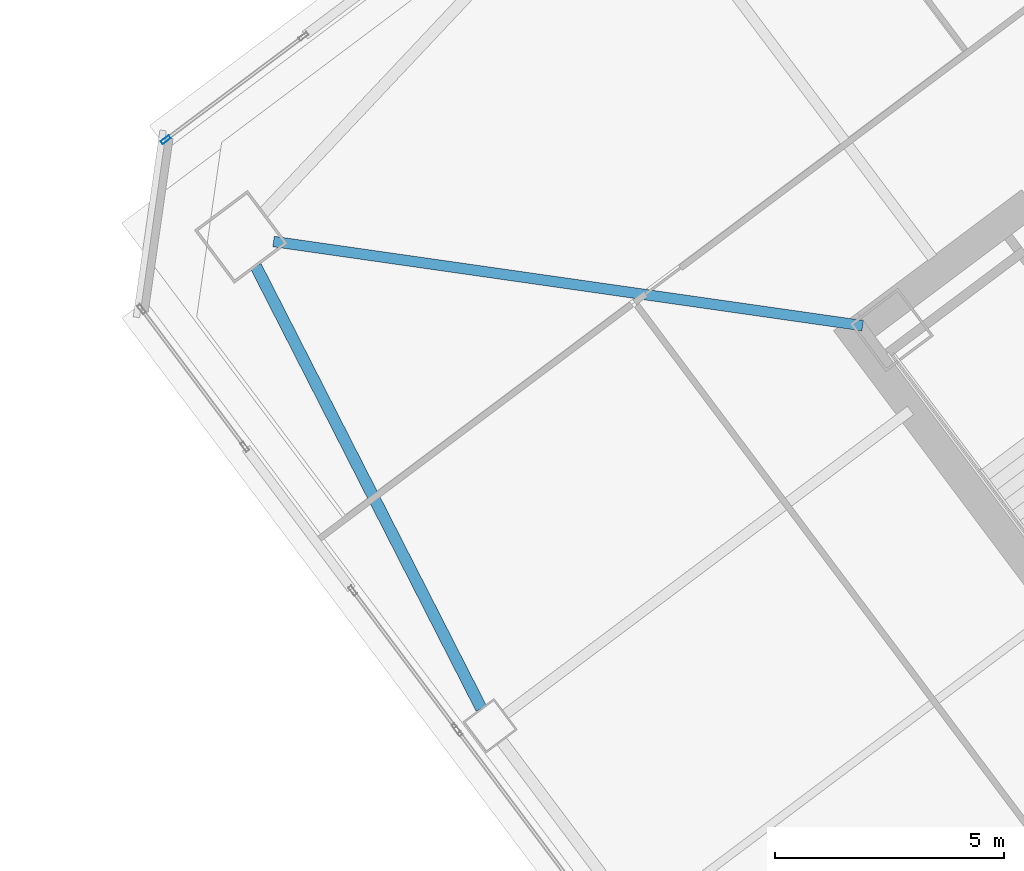
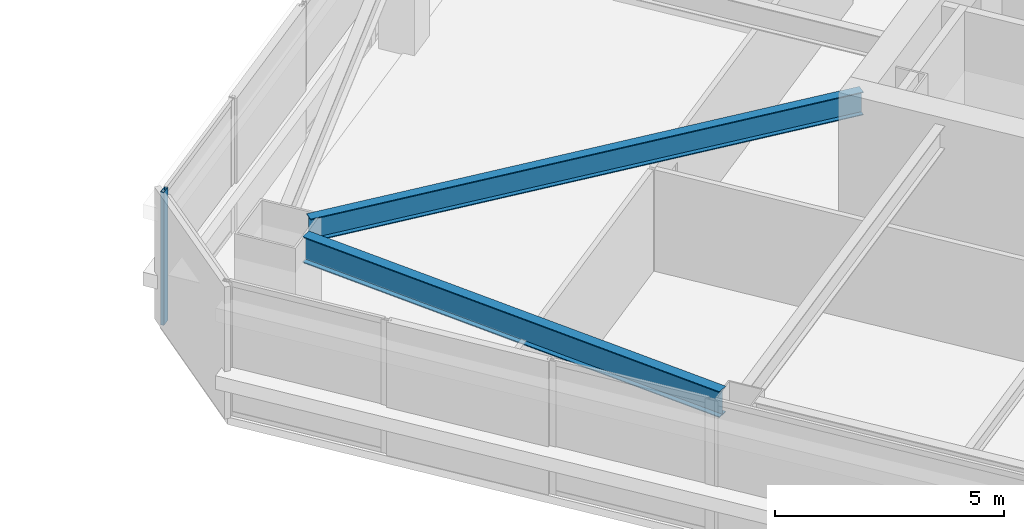
# One storey, part 24 of 48: 2 beams, 1 member, 1 element without a shape of its own.
"""IFC4 building model written with IfcOpenShell, lengths in metres."""

import ifcopenshell
import ifcopenshell.guid

model = None  # the IFC model being written
_history = None  # IfcOwnerHistory: only IFC2X3 demands one
_inside = {}  # id of a spatial element -> (the spatial element, [elements in it])
_under = {}  # id of a project, library or spatial element -> (it, [spatial elements below it])
_declared = {}  # id of a project -> (the project, [libraries it declares])
_typed = {}  # id of a type object -> (the type object, [elements of that type])
_made_of = {}  # id of a material, layer set ... -> (it, [elements and type objects made of it])


def new_model(schema):
    """Start an empty IFC model of exactly this schema.

    Asked for "IFC4X3", IfcOpenShell would pick the latest addendum, in which some entities
    have other attributes; the version numbers below select the first issue.
    IFC2X3 requires an IfcOwnerHistory on every rooted entity: one is made here for all.
    """
    global model, _history
    if schema == "IFC4X3":
        model = ifcopenshell.file(schema_version=(4, 3, 0, 0))
    else:
        model = ifcopenshell.file(schema=schema)
    _inside.clear()
    _under.clear()
    _declared.clear()
    _typed.clear()
    _made_of.clear()
    _history = None
    if model.schema == "IFC2X3":
        org = make("IfcOrganization", Name="unknown")
        user = make(
            "IfcPersonAndOrganization",
            ThePerson=make("IfcPerson", FamilyName="unknown"),
            TheOrganization=org,
        )
        app = make(
            "IfcApplication",
            ApplicationDeveloper=org,
            Version="unknown",
            ApplicationFullName="unknown",
            ApplicationIdentifier="unknown",
        )
        _history = make(
            "IfcOwnerHistory",
            OwningUser=user,
            OwningApplication=app,
            ChangeAction="ADDED",
            CreationDate=0,
        )
    return model


def make(cls, **values):
    """One entity of the class cls with the attributes given. An attribute that is None is left unset."""
    return model.create_entity(
        cls, **{name: value for name, value in values.items() if value is not None}
    )


def rooted(cls, **values):
    """An entity with a GlobalId (a new one), such as an element, a storey or a relation."""
    return make(cls, GlobalId=ifcopenshell.guid.new(), OwnerHistory=_history, **values)


def si_unit(unit_type, name, prefix=None):
    """IfcSIUnit, for example si_unit("LENGTHUNIT", "METRE", prefix="MILLI")."""
    return make("IfcSIUnit", UnitType=unit_type, Prefix=prefix, Name=name)


def assignment(units):
    """IfcUnitAssignment: the units of a project."""
    return None if units is None else make("IfcUnitAssignment", Units=units)


def point(xyz):
    """IfcCartesianPoint."""
    return None if xyz is None else make("IfcCartesianPoint", Coordinates=xyz)


def direction(xyz):
    """IfcDirection."""
    return None if xyz is None else make("IfcDirection", DirectionRatios=xyz)


def frame(location, z_axis=None, x_axis=None):
    """IfcAxis2Placement3D, a coordinate frame: its origin and axes. An axis left out is left unset."""
    return make(
        "IfcAxis2Placement3D",
        Location=point(location),
        Axis=direction(z_axis),
        RefDirection=direction(x_axis),
    )


def frame_2d(location, x_axis=None):
    """IfcAxis2Placement2D, a coordinate frame in the plane: its origin and x axis."""
    return make(
        "IfcAxis2Placement2D", Location=point(location), RefDirection=direction(x_axis)
    )


def origin():
    """The frame at (0, 0, 0) with its axes left unset."""
    return frame((0.0, 0.0, 0.0))


def origin_2d():
    """The frame at (0, 0) in the plane with its x axis left unset."""
    return frame_2d((0.0, 0.0))


def place(relative_to, where):
    """IfcLocalPlacement: puts the frame where relative to a parent placement (None: the world)."""
    return make(
        "IfcLocalPlacement", PlacementRelTo=relative_to, RelativePlacement=where
    )


def context(
    kind, dimensions, precision=None, world=None, true_north=None, identifier=None
):
    """IfcGeometricRepresentationContext, for example the 3D "Model" context."""
    return make(
        "IfcGeometricRepresentationContext",
        ContextIdentifier=identifier,
        ContextType=kind,
        CoordinateSpaceDimension=dimensions,
        Precision=precision,
        WorldCoordinateSystem=world,
        TrueNorth=true_north,
    )


def subcontext(parent, identifier, kind, view, scale=None):
    """IfcGeometricRepresentationSubContext, for example "Body" below "Model"."""
    return make(
        "IfcGeometricRepresentationSubContext",
        ContextIdentifier=identifier,
        ContextType=kind,
        ParentContext=parent,
        TargetScale=scale,
        TargetView=view,
    )


def project(units=None, contexts=None):
    """IfcProject with its units and contexts."""
    return rooted(
        "IfcProject",
        Name="project",
        RepresentationContexts=contexts,
        UnitsInContext=assignment(units),
    )


def spatial(cls, under=None, at=None, **own):
    """A site, building, storey or space (cls), placed at a placement, below another one or the project."""
    s = rooted(cls, ObjectPlacement=at, **own)
    if under is not None:
        _under.setdefault(under.id(), (under, []))[1].append(s)
    return s


def profile(cls, at=None, kind="AREA", **sizes):
    """A parametric profile (cls). Its sizes go by their IFC names, for example OverallWidth=200.0."""
    return make(cls, ProfileType=kind, Position=at, **sizes)


def hollow_rectangle(**sizes):
    """IfcRectangleHollowProfileDef."""
    return profile("IfcRectangleHollowProfileDef", **sizes)


def i_section(**sizes):
    """IfcIShapeProfileDef."""
    return profile("IfcIShapeProfileDef", **sizes)


def extrude(swept, where, along, depth):
    """IfcExtrudedAreaSolid: the profile swept, set in the frame where, extruded along a direction by depth."""
    return make(
        "IfcExtrudedAreaSolid",
        SweptArea=swept,
        Position=where,
        ExtrudedDirection=direction(along),
        Depth=depth,
    )


def shape(context_of_items, identifier, shape_type, items):
    """IfcShapeRepresentation: the items that make up one representation, for example the "Body"."""
    return make(
        "IfcShapeRepresentation",
        ContextOfItems=context_of_items,
        RepresentationIdentifier=identifier,
        RepresentationType=shape_type,
        Items=items,
    )


def material(Name=None, Category=None):
    """IfcMaterial."""
    return make("IfcMaterial", Name=Name, Category=Category)


def material_profile(
    of_material, cross_section, Name=None, Category=None, Priority=None
):
    """IfcMaterialProfile: a cross section and its material."""
    return make(
        "IfcMaterialProfile",
        Name=Name,
        Material=of_material,
        Profile=cross_section,
        Priority=Priority,
        Category=Category,
    )


def profile_set(profiles, Name=None, composite=None):
    """IfcMaterialProfileSet."""
    return make(
        "IfcMaterialProfileSet",
        Name=Name,
        MaterialProfiles=profiles,
        CompositeProfile=composite,
    )


def made_of(thing, what):
    """Note that an element or type object is made of a material, layer set ...; save() writes the relation."""
    if what is not None:
        _made_of.setdefault(what.id(), (what, []))[1].append(thing)
    return thing


def type_object(cls, material=None, **own):
    """A type object (cls), such as IfcWallType, which elements share."""
    return made_of(rooted(cls, **own), material)


def element(
    cls,
    number,
    at=None,
    inside=None,
    cuts=None,
    type_object=None,
    material=None,
    context=None,
    identifier="Body",
    shape_type=None,
    held_by="IfcProductDefinitionShape",
    body=None,
    shapes=None,
    **own,
):
    """One element of the class cls, such as IfcWall. Its Tag is "e" and its number.

    at: its placement. inside: the storey or other place that contains it. cuts: it is an
    opening in that element (IfcRelVoidsElement). A single representation is given by context,
    identifier, shape_type and body (its items); several are given by shapes. held_by: the class
    of the entity that holds the representations. save() writes the other relations.
    """
    e = rooted(cls, Tag="e%d" % number, ObjectPlacement=at, **own)
    if body is not None:
        shapes = [shape(context, identifier, shape_type, body)]
    if shapes is not None:
        e.Representation = make(held_by, Representations=shapes)
    if inside is not None:
        _inside.setdefault(inside.id(), (inside, []))[1].append(e)
    if cuts is not None:
        rooted(
            "IfcRelVoidsElement", RelatingBuildingElement=cuts, RelatedOpeningElement=e
        )
    if type_object is not None:
        _typed.setdefault(type_object.id(), (type_object, []))[1].append(e)
    return made_of(e, material)


def aggregate(whole, parts):
    """IfcRelAggregates: a whole, such as a stair, and the parts it consists of."""
    return rooted("IfcRelAggregates", RelatingObject=whole, RelatedObjects=parts)


def save(model, path):
    """Write the relations noted so far, then the file.

    IfcRelAggregates (storeys below a building ...), IfcRelContainedInSpatialStructure (elements
    in a storey), IfcRelDefinesByType, IfcRelAssociatesMaterial and IfcRelDeclares: one each for
    every whole, place, type object, material and project.
    """
    for whole, parts in _under.values():
        aggregate(whole, parts)
    for where, things in _inside.values():
        rooted(
            "IfcRelContainedInSpatialStructure",
            RelatedElements=things,
            RelatingStructure=where,
        )
    for kind, things in _typed.values():
        rooted("IfcRelDefinesByType", RelatedObjects=things, RelatingType=kind)
    for what, things in _made_of.values():
        rooted("IfcRelAssociatesMaterial", RelatedObjects=things, RelatingMaterial=what)
    for by, libraries in _declared.values():
        rooted("IfcRelDeclares", RelatingContext=by, RelatedDefinitions=libraries)
    model.write(path)


model = new_model("IFC4")

# Units and contexts
model_context = context("Model", 3, precision=1e-05, world=origin(), true_north=direction((0.0, 1.0)))
body_context = subcontext(model_context, "Body", "Model", "MODEL_VIEW")
ifc_project = project(units=[si_unit("LENGTHUNIT", "METRE"), si_unit("AREAUNIT", "SQUARE_METRE"), si_unit("VOLUMEUNIT", "CUBIC_METRE"), si_unit("PLANEANGLEUNIT", "RADIAN"), si_unit("MASSUNIT", "GRAM", prefix="KILO")], contexts=[model_context])

# Site, building, storey
site_placement = place(None, origin())
site = spatial("IfcSite", under=ifc_project, at=site_placement, CompositionType="ELEMENT")
building_placement = place(site_placement, origin())
building = spatial("IfcBuilding", under=site, at=building_placement, Name="Tashvorn Skyway Center", CompositionType="ELEMENT")
storey_placement = place(building_placement, frame((0.0, 0.0, 77.85009765625)))
storey = spatial("IfcBuildingStorey", under=building, at=storey_placement, Name="L20", CompositionType="ELEMENT", Elevation=77.85009765625)

# Beams
ifc_material_1 = material(Name="Steel ASTM A992 Grade 50", Category="steel")
ifc_material_profile_1 = material_profile(ifc_material_1, i_section(OverallWidth=0.22998046875, OverallDepth=0.616943359375, WebThickness=0.01318359375, FlangeThickness=0.022216796875, at=origin_2d()), Name="W24X94")
ifc_profile_set_1 = profile_set([ifc_material_profile_1], Name="Steel ASTM A992 Grade 50")
beam_type_1 = type_object("IfcBeamType", Name="BM-BEAM-W24X94", PredefinedType="BEAM", material=ifc_profile_set_1)
beam_1_placement = place(storey_placement, frame((90.6328125, 35.338134765625, 3.04150390625), z_axis=(0.989949869571, -0.141418724841, 0.0), x_axis=(0.141418724841, 0.989949869571, 0.0)))
element("IfcBeam", 1, at=beam_1_placement, inside=storey, type_object=beam_type_1, Name="Tower 2 L20 Primary Floor Girder MC-NW", PredefinedType="BEAM", context=body_context, shape_type="SweptSolid", body=[
    extrude(i_section(OverallWidth=0.22998046875, OverallDepth=0.616943359375, WebThickness=0.01318359375, FlangeThickness=0.022216796875, at=origin_2d()), origin(), (0.0, 0.0, 1.0), 12.9892578125),
])
ifc_material_profile_2 = material_profile(ifc_material_1, i_section(OverallWidth=0.256103515625, OverallDepth=0.693115234375, WebThickness=0.014404296875, FlangeThickness=0.023681640625, at=origin_2d()), Name="W27X114")
ifc_profile_set_2 = profile_set([ifc_material_profile_2], Name="Steel ASTM A992 Grade 50")
beam_type_2 = type_object("IfcBeamType", Name="BM-SPANDREL-W27X114", PredefinedType="SPANDREL", material=ifc_profile_set_2)
beam_2_placement = place(storey_placement, frame((90.2470703125, 34.798583984375, 3.00341796875), z_axis=(0.454210938961, -0.890894170442, 0.0), x_axis=(0.890894170442, 0.454210938961, 0.0)))
element("IfcBeam", 2, at=beam_2_placement, inside=storey, type_object=beam_type_2, Name="Tower 2 L20 Spandrel Beam 10", PredefinedType="SPANDREL", context=body_context, shape_type="SweptSolid", body=[
    extrude(i_section(OverallWidth=0.256103515625, OverallDepth=0.693115234375, WebThickness=0.014404296875, FlangeThickness=0.023681640625, at=origin_2d()), origin(), (0.0, 0.0, 1.0), 10.836669921875),
])

# Curtain wall, member
ifc_material_2 = material(Name="Thermally broken bronze-anodized aluminium 6063-T6", Category="aluminium")
curtain_wall_type = type_object("IfcCurtainWallType", Name="CW-CW-Z2", PredefinedType="NOTDEFINED", material=ifc_material_2)
curtain_wall_placement = place(storey_placement, origin())
curtain_wall = element("IfcCurtainWall", 3, at=curtain_wall_placement, inside=storey, type_object=curtain_wall_type, Name="Tower 2 L20 North Unitised Curtain Wall Glazing Group 1", PredefinedType="NOTDEFINED")
ifc_material_profile_3 = material_profile(ifc_material_2, hollow_rectangle(XDim=0.080078125, YDim=0.219970703125, WallThickness=0.0048828125, at=origin_2d()), Name="ALU-MULL-80x220")
ifc_profile_set_3 = profile_set([ifc_material_profile_3], Name="Thermally broken bronze-anodized aluminium 6063-T6")
member_type = type_object("IfcMemberType", Name="CWM-CW-Z2", PredefinedType="MULLION", material=ifc_profile_set_3)
member_placement = place(storey_placement, frame((88.280029296875, 37.56005859375, 0.0), z_axis=(0.0, 0.0, 1.0), x_axis=(-0.600000000002, 0.799999999998, 0.0)))
member = element("IfcMember", 4, at=member_placement, type_object=member_type, Name="CW-Z2 mullion 1", PredefinedType="MULLION", context=body_context, shape_type="SweptSolid", body=[
    extrude(hollow_rectangle(XDim=0.080078125, YDim=0.219970703125, WallThickness=0.0048828125, at=origin_2d()), origin(), (0.0, 0.0, 1.0), 3.5498046875),
])
aggregate(curtain_wall, [member])

save(model, "model.ifc")
